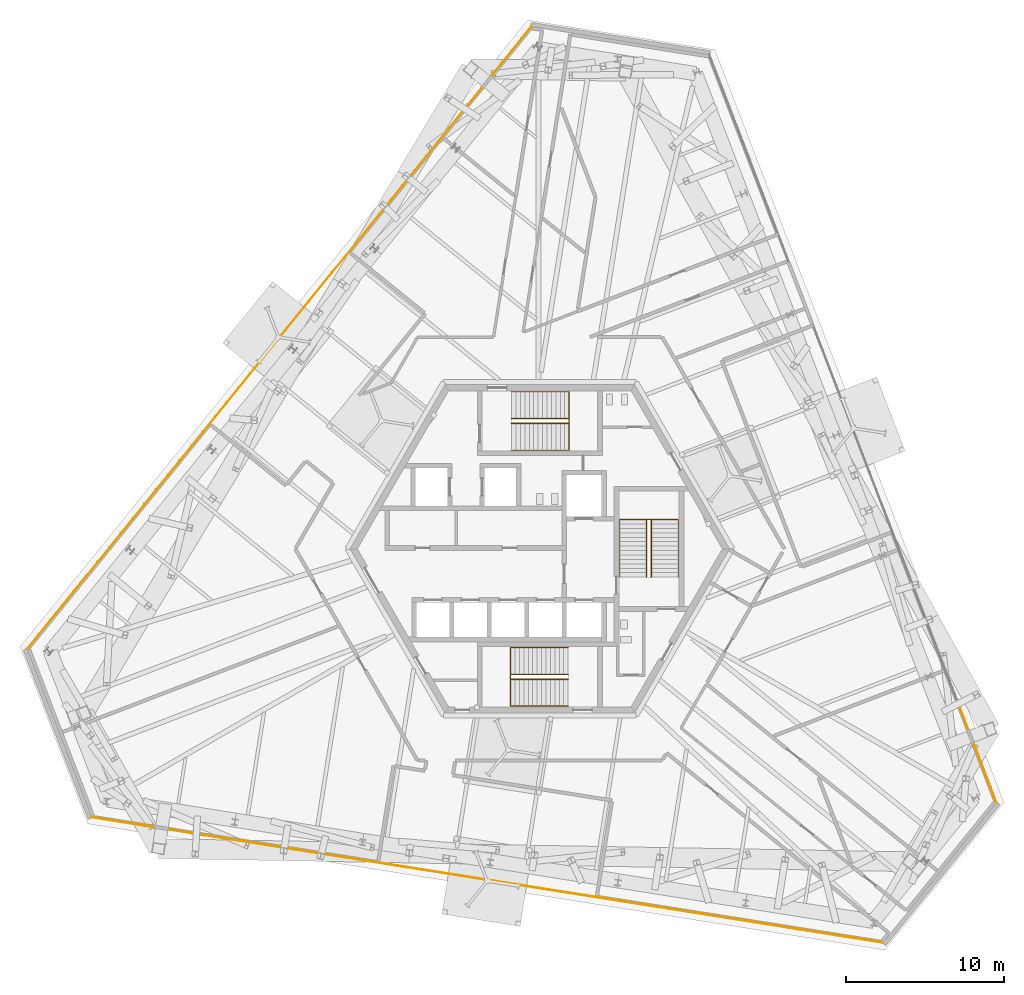
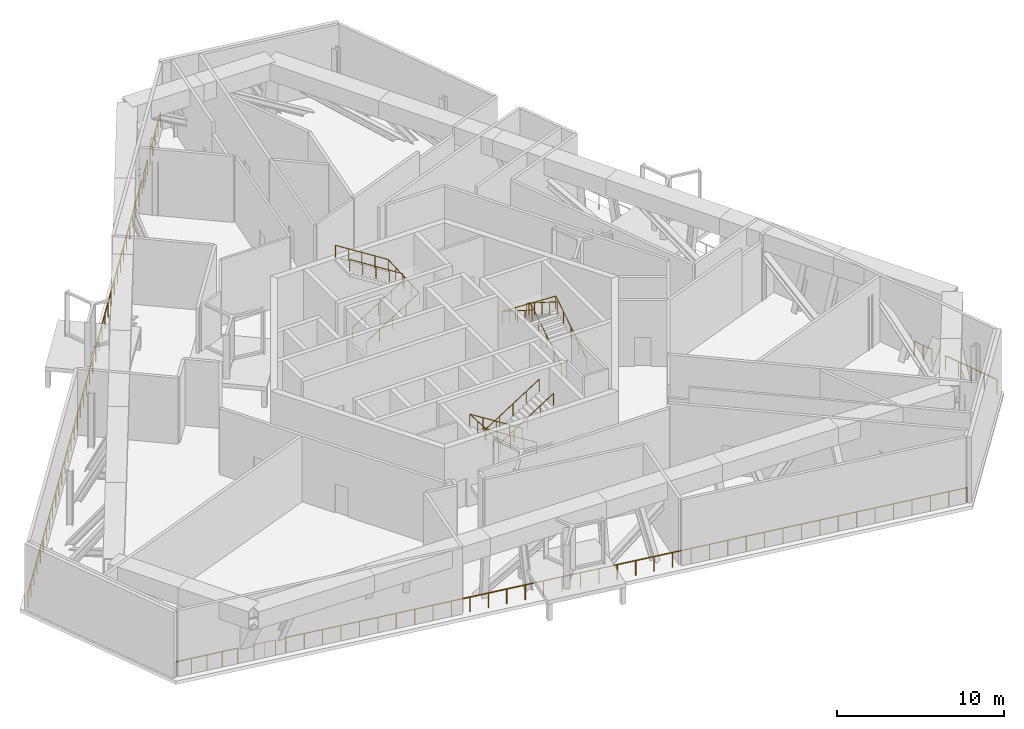
# One storey, part 12 of 14: 14 railings.
"""IFC4 building model written with IfcOpenShell, lengths in metres."""

from ifc_helpers import new_model, si_unit, direction, frame, origin, origin_2d, place, context, subcontext, project, spatial, circle, extrude, material, type_object, element, save


model = new_model("IFC4")

# Units and contexts
model_context = context("Model", 3, precision=1e-05, world=origin(), true_north=direction((0.0, 1.0)))
body_context = subcontext(model_context, "Body", "Model", "MODEL_VIEW")
ifc_project = project(units=[si_unit("LENGTHUNIT", "METRE"), si_unit("AREAUNIT", "SQUARE_METRE"), si_unit("VOLUMEUNIT", "CUBIC_METRE"), si_unit("PLANEANGLEUNIT", "RADIAN"), si_unit("MASSUNIT", "GRAM", prefix="KILO")], contexts=[model_context])

# Site, building, storey
site_placement = place(None, origin())
site = spatial("IfcSite", under=ifc_project, at=site_placement, CompositionType="ELEMENT")
building_placement = place(site_placement, origin())
building = spatial("IfcBuilding", under=site, at=building_placement, Name="Triune Harvest Tower", CompositionType="ELEMENT")
storey_placement = place(building_placement, frame((0.0, 0.0, 174.925048828125)))
storey = spatial("IfcBuildingStorey", under=building, at=storey_placement, Name="L45", CompositionType="ELEMENT", Elevation=174.925048828125)

# Railings
ifc_material_1 = material(Name="Steel ASTM A992 Gr 50", Category="steel")
railing_type_1 = type_object("IfcRailingType", Name="GD-4 slot guard 1100", PredefinedType="GUARDRAIL", material=ifc_material_1)
railing_1_placement = place(storey_placement, frame((28.868896484375, -16.047119140625, 0.0)))
element("IfcRailing", 1, at=railing_1_placement, inside=storey, type_object=railing_type_1, Name="Slot guard B4-F1 1", PredefinedType="GUARDRAIL", context=body_context, shape_type="SweptSolid", body=[
    extrude(circle(Radius=0.02392578125, at=origin_2d()), frame((0.0, 0.0, 1.076171875), z_axis=(-0.35837480596, 0.933577794537, 0.0), x_axis=(-0.933577794537, -0.35837480596, 0.0)), (0.0, 0.0, 1.0), 3.953369140625),
    extrude(circle(Radius=0.02099609375, at=origin_2d()), origin(), (0.0, 0.0, 1.0), 1.052001953125),
    extrude(circle(Radius=0.02099609375, at=origin_2d()), frame((-0.354248046875, 0.922607421875, 0.0)), (0.0, 0.0, 1.0), 1.052001953125),
    extrude(circle(Radius=0.02099609375, at=origin_2d()), frame((-0.70849609375, 1.84521484375, 0.0)), (0.0, 0.0, 1.0), 1.052001953125),
    extrude(circle(Radius=0.02099609375, at=origin_2d()), frame((-1.0625, 2.76806640625, 0.0)), (0.0, 0.0, 1.0), 1.052001953125),
    extrude(circle(Radius=0.02099609375, at=origin_2d()), frame((-1.416748046875, 3.690673828125, 0.0)), (0.0, 0.0, 1.0), 1.052001953125),
])
railing_2_placement = place(storey_placement, frame((27.07958984375, -11.385498046875, 0.0)))
element("IfcRailing", 2, at=railing_2_placement, inside=storey, type_object=railing_type_1, Name="Slot guard B4-F1 2", PredefinedType="GUARDRAIL", context=body_context, shape_type="SweptSolid", body=[
    extrude(circle(Radius=0.02392578125, at=origin_2d()), frame((0.0, 0.0, 1.076171875), z_axis=(-0.358489748877, 0.933533662998, 0.0), x_axis=(-0.933533662998, -0.358489748877, 0.0)), (0.0, 0.0, 1.0), 1.370849609375),
    extrude(circle(Radius=0.02099609375, at=origin_2d()), origin(), (0.0, 0.0, 1.0), 1.052001953125),
    extrude(circle(Radius=0.02099609375, at=origin_2d()), frame((-0.24560546875, 0.639892578125, 0.0)), (0.0, 0.0, 1.0), 1.052001953125),
    extrude(circle(Radius=0.02099609375, at=origin_2d()), frame((-0.491455078125, 1.27978515625, 0.0)), (0.0, 0.0, 1.0), 1.052001953125),
])
railing_3_placement = place(storey_placement, frame((-0.537353515625, 33.024658203125, 0.0)))
element("IfcRailing", 3, at=railing_3_placement, inside=storey, type_object=railing_type_1, Name="Slot guard B4-F3 1", PredefinedType="GUARDRAIL", context=body_context, shape_type="SweptSolid", body=[
    extrude(circle(Radius=0.02392578125, at=origin_2d()), frame((0.0, 0.0, 1.076171875), z_axis=(-0.629308370561, -0.777155695303, 0.0), x_axis=(0.777155695303, -0.629308370561, 0.0)), (0.0, 0.0, 1.0), 3.953125),
    extrude(circle(Radius=0.02099609375, at=origin_2d()), origin(), (0.0, 0.0, 1.0), 1.052001953125),
    extrude(circle(Radius=0.02099609375, at=origin_2d()), frame((-0.6220703125, -0.76806640625, 0.0)), (0.0, 0.0, 1.0), 1.052001953125),
    extrude(circle(Radius=0.02099609375, at=origin_2d()), frame((-1.243896484375, -1.5361328125, 0.0)), (0.0, 0.0, 1.0), 1.052001953125),
    extrude(circle(Radius=0.02099609375, at=origin_2d()), frame((-1.86572265625, -2.30419921875, 0.0)), (0.0, 0.0, 1.0), 1.052001953125),
    extrude(circle(Radius=0.02099609375, at=origin_2d()), frame((-2.48779296875, -3.072265625, 0.0)), (0.0, 0.0, 1.0), 1.052001953125),
])
railing_4_placement = place(storey_placement, frame((-3.6796875, 29.144287109375, 0.0)))
element("IfcRailing", 4, at=railing_4_placement, inside=storey, type_object=railing_type_1, Name="Slot guard B4-F3 2", PredefinedType="GUARDRAIL", context=body_context, shape_type="SweptSolid", body=[
    extrude(circle(Radius=0.02392578125, at=origin_2d()), frame((0.0, 0.0, 1.076171875), z_axis=(-0.629223845309, -0.777224132728, 0.0), x_axis=(0.777224132728, -0.629223845309, 0.0)), (0.0, 0.0, 1.0), 1.370849609375),
    extrude(circle(Radius=0.02099609375, at=origin_2d()), origin(), (0.0, 0.0, 1.0), 1.052001953125),
    extrude(circle(Radius=0.02099609375, at=origin_2d()), frame((-0.43115234375, -0.53271484375, 0.0)), (0.0, 0.0, 1.0), 1.052001953125),
    extrude(circle(Radius=0.02099609375, at=origin_2d()), frame((-0.862548828125, -1.0654296875, 0.0)), (0.0, 0.0, 1.0), 1.052001953125),
])
railing_5_placement = place(storey_placement, frame((-4.960693359375, 27.562255859375, 0.0)))
element("IfcRailing", 5, at=railing_5_placement, inside=storey, type_object=railing_type_1, Name="Slot guard B4-F3 3", PredefinedType="GUARDRAIL", context=body_context, shape_type="SweptSolid", body=[
    extrude(circle(Radius=0.02392578125, at=origin_2d()), frame((0.0, 0.0, 1.076171875), z_axis=(-0.629322183933, -0.777144509605, 0.0), x_axis=(0.777144509605, -0.629322183933, 0.0)), (0.0, 0.0, 1.0), 43.624755859375),
    extrude(circle(Radius=0.02099609375, at=origin_2d()), origin(), (0.0, 0.0, 1.0), 1.052001953125),
    extrude(circle(Radius=0.02099609375, at=origin_2d()), frame((-0.741943359375, -0.916259765625, 0.0)), (0.0, 0.0, 1.0), 1.052001953125),
    extrude(circle(Radius=0.02099609375, at=origin_2d()), frame((-1.48388671875, -1.83251953125, 0.0)), (0.0, 0.0, 1.0), 1.052001953125),
    extrude(circle(Radius=0.02099609375, at=origin_2d()), frame((-2.22607421875, -2.748779296875, 0.0)), (0.0, 0.0, 1.0), 1.052001953125),
    extrude(circle(Radius=0.02099609375, at=origin_2d()), frame((-2.968017578125, -3.665283203125, 0.0)), (0.0, 0.0, 1.0), 1.052001953125),
    extrude(circle(Radius=0.02099609375, at=origin_2d()), frame((-3.7099609375, -4.58154296875, 0.0)), (0.0, 0.0, 1.0), 1.052001953125),
    extrude(circle(Radius=0.02099609375, at=origin_2d()), frame((-4.451904296875, -5.497802734375, 0.0)), (0.0, 0.0, 1.0), 1.052001953125),
    extrude(circle(Radius=0.02099609375, at=origin_2d()), frame((-5.194091796875, -6.4140625, 0.0)), (0.0, 0.0, 1.0), 1.052001953125),
    extrude(circle(Radius=0.02099609375, at=origin_2d()), frame((-5.93603515625, -7.330322265625, 0.0)), (0.0, 0.0, 1.0), 1.052001953125),
    extrude(circle(Radius=0.02099609375, at=origin_2d()), frame((-6.677978515625, -8.24658203125, 0.0)), (0.0, 0.0, 1.0), 1.052001953125),
    extrude(circle(Radius=0.02099609375, at=origin_2d()), frame((-7.419921875, -9.162841796875, 0.0)), (0.0, 0.0, 1.0), 1.052001953125),
    extrude(circle(Radius=0.02099609375, at=origin_2d()), frame((-8.162109375, -10.0791015625, 0.0)), (0.0, 0.0, 1.0), 1.052001953125),
    extrude(circle(Radius=0.02099609375, at=origin_2d()), frame((-8.904052734375, -10.99560546875, 0.0)), (0.0, 0.0, 1.0), 1.052001953125),
    extrude(circle(Radius=0.02099609375, at=origin_2d()), frame((-9.64599609375, -11.911865234375, 0.0)), (0.0, 0.0, 1.0), 1.052001953125),
    extrude(circle(Radius=0.02099609375, at=origin_2d()), frame((-10.387939453125, -12.828125, 0.0)), (0.0, 0.0, 1.0), 1.052001953125),
    extrude(circle(Radius=0.02099609375, at=origin_2d()), frame((-11.130126953125, -13.744384765625, 0.0)), (0.0, 0.0, 1.0), 1.052001953125),
    extrude(circle(Radius=0.02099609375, at=origin_2d()), frame((-11.8720703125, -14.66064453125, 0.0)), (0.0, 0.0, 1.0), 1.052001953125),
    extrude(circle(Radius=0.02099609375, at=origin_2d()), frame((-12.614013671875, -15.576904296875, 0.0)), (0.0, 0.0, 1.0), 1.052001953125),
    extrude(circle(Radius=0.02099609375, at=origin_2d()), frame((-13.35595703125, -16.4931640625, 0.0)), (0.0, 0.0, 1.0), 1.052001953125),
    extrude(circle(Radius=0.02099609375, at=origin_2d()), frame((-14.09814453125, -17.40966796875, 0.0)), (0.0, 0.0, 1.0), 1.052001953125),
    extrude(circle(Radius=0.02099609375, at=origin_2d()), frame((-14.840087890625, -18.325927734375, 0.0)), (0.0, 0.0, 1.0), 1.052001953125),
    extrude(circle(Radius=0.02099609375, at=origin_2d()), frame((-15.58203125, -19.2421875, 0.0)), (0.0, 0.0, 1.0), 1.052001953125),
    extrude(circle(Radius=0.02099609375, at=origin_2d()), frame((-16.323974609375, -20.158447265625, 0.0)), (0.0, 0.0, 1.0), 1.052001953125),
    extrude(circle(Radius=0.02099609375, at=origin_2d()), frame((-17.066162109375, -21.07470703125, 0.0)), (0.0, 0.0, 1.0), 1.052001953125),
    extrude(circle(Radius=0.02099609375, at=origin_2d()), frame((-17.80810546875, -21.990966796875, 0.0)), (0.0, 0.0, 1.0), 1.052001953125),
    extrude(circle(Radius=0.02099609375, at=origin_2d()), frame((-18.550048828125, -22.9072265625, 0.0)), (0.0, 0.0, 1.0), 1.052001953125),
    extrude(circle(Radius=0.02099609375, at=origin_2d()), frame((-19.2919921875, -23.82373046875, 0.0)), (0.0, 0.0, 1.0), 1.052001953125),
    extrude(circle(Radius=0.02099609375, at=origin_2d()), frame((-20.0341796875, -24.739990234375, 0.0)), (0.0, 0.0, 1.0), 1.052001953125),
    extrude(circle(Radius=0.02099609375, at=origin_2d()), frame((-20.776123046875, -25.65625, 0.0)), (0.0, 0.0, 1.0), 1.052001953125),
    extrude(circle(Radius=0.02099609375, at=origin_2d()), frame((-21.51806640625, -26.572509765625, 0.0)), (0.0, 0.0, 1.0), 1.052001953125),
    extrude(circle(Radius=0.02099609375, at=origin_2d()), frame((-22.260009765625, -27.48876953125, 0.0)), (0.0, 0.0, 1.0), 1.052001953125),
    extrude(circle(Radius=0.02099609375, at=origin_2d()), frame((-23.002197265625, -28.405029296875, 0.0)), (0.0, 0.0, 1.0), 1.052001953125),
    extrude(circle(Radius=0.02099609375, at=origin_2d()), frame((-23.744140625, -29.3212890625, 0.0)), (0.0, 0.0, 1.0), 1.052001953125),
    extrude(circle(Radius=0.02099609375, at=origin_2d()), frame((-24.486083984375, -30.237548828125, 0.0)), (0.0, 0.0, 1.0), 1.052001953125),
    extrude(circle(Radius=0.02099609375, at=origin_2d()), frame((-25.22802734375, -31.154052734375, 0.0)), (0.0, 0.0, 1.0), 1.052001953125),
    extrude(circle(Radius=0.02099609375, at=origin_2d()), frame((-25.97021484375, -32.0703125, 0.0)), (0.0, 0.0, 1.0), 1.052001953125),
    extrude(circle(Radius=0.02099609375, at=origin_2d()), frame((-26.712158203125, -32.986572265625, 0.0)), (0.0, 0.0, 1.0), 1.052001953125),
    extrude(circle(Radius=0.02099609375, at=origin_2d()), frame((-27.4541015625, -33.90283203125, 0.0)), (0.0, 0.0, 1.0), 1.052001953125),
])
railing_6_placement = place(storey_placement, frame((-28.33154296875, -16.9775390625, 0.0)))
element("IfcRailing", 6, at=railing_6_placement, inside=storey, type_object=railing_type_1, Name="Slot guard B4-F5 1", PredefinedType="GUARDRAIL", context=body_context, shape_type="SweptSolid", body=[
    extrude(circle(Radius=0.02392578125, at=origin_2d()), frame((0.0, 0.0, 1.076171875), z_axis=(0.987687233333, -0.156441455855, 0.0), x_axis=(0.156441455855, 0.987687233333, 0.0)), (0.0, 0.0, 1.0), 3.952880859375),
    extrude(circle(Radius=0.02099609375, at=origin_2d()), origin(), (0.0, 0.0, 1.0), 1.052001953125),
    extrude(circle(Radius=0.02099609375, at=origin_2d()), frame((0.97607421875, -0.154541015625, 0.0)), (0.0, 0.0, 1.0), 1.052001953125),
    extrude(circle(Radius=0.02099609375, at=origin_2d()), frame((1.9521484375, -0.30908203125, 0.0)), (0.0, 0.0, 1.0), 1.052001953125),
    extrude(circle(Radius=0.02099609375, at=origin_2d()), frame((2.92822265625, -0.4638671875, 0.0)), (0.0, 0.0, 1.0), 1.052001953125),
    extrude(circle(Radius=0.02099609375, at=origin_2d()), frame((3.904296875, -0.618408203125, 0.0)), (0.0, 0.0, 1.0), 1.052001953125),
])
railing_7_placement = place(storey_placement, frame((-23.39990234375, -17.7587890625, 0.0)))
element("IfcRailing", 7, at=railing_7_placement, inside=storey, type_object=railing_type_1, Name="Slot guard B4-F5 2", PredefinedType="GUARDRAIL", context=body_context, shape_type="SweptSolid", body=[
    extrude(circle(Radius=0.02392578125, at=origin_2d()), frame((0.0, 0.0, 1.076171875), z_axis=(0.98769934777, -0.15636495264, 0.0), x_axis=(0.15636495264, 0.98769934777, 0.0)), (0.0, 0.0, 1.0), 1.370849609375),
    extrude(circle(Radius=0.02099609375, at=origin_2d()), origin(), (0.0, 0.0, 1.0), 1.052001953125),
    extrude(circle(Radius=0.02099609375, at=origin_2d()), frame((0.677001953125, -0.107177734375, 0.0)), (0.0, 0.0, 1.0), 1.052001953125),
    extrude(circle(Radius=0.02099609375, at=origin_2d()), frame((1.35400390625, -0.21435546875, 0.0)), (0.0, 0.0, 1.0), 1.052001953125),
])
railing_8_placement = place(storey_placement, frame((-21.389404296875, -18.0771484375, 0.0)))
element("IfcRailing", 8, at=railing_8_placement, inside=storey, type_object=railing_type_1, Name="Slot guard B4-F5 3", PredefinedType="GUARDRAIL", context=body_context, shape_type="SweptSolid", body=[
    extrude(circle(Radius=0.02392578125, at=origin_2d()), frame((0.0, 0.0, 1.076171875), z_axis=(0.987688300045, -0.156434721064, 0.0), x_axis=(0.156434721064, 0.987688300045, 0.0)), (0.0, 0.0, 1.0), 43.625),
    extrude(circle(Radius=0.02099609375, at=origin_2d()), origin(), (0.0, 0.0, 1.0), 1.052001953125),
    extrude(circle(Radius=0.02099609375, at=origin_2d()), frame((1.16455078125, -0.184326171875, 0.0)), (0.0, 0.0, 1.0), 1.052001953125),
    extrude(circle(Radius=0.02099609375, at=origin_2d()), frame((2.3291015625, -0.368896484375, 0.0)), (0.0, 0.0, 1.0), 1.052001953125),
    extrude(circle(Radius=0.02099609375, at=origin_2d()), frame((3.49365234375, -0.55322265625, 0.0)), (0.0, 0.0, 1.0), 1.052001953125),
    extrude(circle(Radius=0.02099609375, at=origin_2d()), frame((4.658203125, -0.73779296875, 0.0)), (0.0, 0.0, 1.0), 1.052001953125),
    extrude(circle(Radius=0.02099609375, at=origin_2d()), frame((5.82275390625, -0.922119140625, 0.0)), (0.0, 0.0, 1.0), 1.052001953125),
    extrude(circle(Radius=0.02099609375, at=origin_2d()), frame((6.9873046875, -1.106689453125, 0.0)), (0.0, 0.0, 1.0), 1.052001953125),
    extrude(circle(Radius=0.02099609375, at=origin_2d()), frame((8.15185546875, -1.291015625, 0.0)), (0.0, 0.0, 1.0), 1.052001953125),
    extrude(circle(Radius=0.02099609375, at=origin_2d()), frame((9.31640625, -1.4755859375, 0.0)), (0.0, 0.0, 1.0), 1.052001953125),
    extrude(circle(Radius=0.02099609375, at=origin_2d()), frame((10.48095703125, -1.659912109375, 0.0)), (0.0, 0.0, 1.0), 1.052001953125),
    extrude(circle(Radius=0.02099609375, at=origin_2d()), frame((11.645263671875, -1.844482421875, 0.0)), (0.0, 0.0, 1.0), 1.052001953125),
    extrude(circle(Radius=0.02099609375, at=origin_2d()), frame((12.809814453125, -2.02880859375, 0.0)), (0.0, 0.0, 1.0), 1.052001953125),
    extrude(circle(Radius=0.02099609375, at=origin_2d()), frame((13.974365234375, -2.21337890625, 0.0)), (0.0, 0.0, 1.0), 1.052001953125),
    extrude(circle(Radius=0.02099609375, at=origin_2d()), frame((15.138916015625, -2.397705078125, 0.0)), (0.0, 0.0, 1.0), 1.052001953125),
    extrude(circle(Radius=0.02099609375, at=origin_2d()), frame((16.303466796875, -2.582275390625, 0.0)), (0.0, 0.0, 1.0), 1.052001953125),
    extrude(circle(Radius=0.02099609375, at=origin_2d()), frame((17.468017578125, -2.7666015625, 0.0)), (0.0, 0.0, 1.0), 1.052001953125),
    extrude(circle(Radius=0.02099609375, at=origin_2d()), frame((18.632568359375, -2.951171875, 0.0)), (0.0, 0.0, 1.0), 1.052001953125),
    extrude(circle(Radius=0.02099609375, at=origin_2d()), frame((19.797119140625, -3.135498046875, 0.0)), (0.0, 0.0, 1.0), 1.052001953125),
    extrude(circle(Radius=0.02099609375, at=origin_2d()), frame((20.961669921875, -3.320068359375, 0.0)), (0.0, 0.0, 1.0), 1.052001953125),
    extrude(circle(Radius=0.02099609375, at=origin_2d()), frame((22.126220703125, -3.50439453125, 0.0)), (0.0, 0.0, 1.0), 1.052001953125),
    extrude(circle(Radius=0.02099609375, at=origin_2d()), frame((23.290771484375, -3.68896484375, 0.0)), (0.0, 0.0, 1.0), 1.052001953125),
    extrude(circle(Radius=0.02099609375, at=origin_2d()), frame((24.455322265625, -3.873291015625, 0.0)), (0.0, 0.0, 1.0), 1.052001953125),
    extrude(circle(Radius=0.02099609375, at=origin_2d()), frame((25.619873046875, -4.057861328125, 0.0)), (0.0, 0.0, 1.0), 1.052001953125),
    extrude(circle(Radius=0.02099609375, at=origin_2d()), frame((26.784423828125, -4.2421875, 0.0)), (0.0, 0.0, 1.0), 1.052001953125),
    extrude(circle(Radius=0.02099609375, at=origin_2d()), frame((27.948974609375, -4.4267578125, 0.0)), (0.0, 0.0, 1.0), 1.052001953125),
    extrude(circle(Radius=0.02099609375, at=origin_2d()), frame((29.113525390625, -4.611083984375, 0.0)), (0.0, 0.0, 1.0), 1.052001953125),
    extrude(circle(Radius=0.02099609375, at=origin_2d()), frame((30.278076171875, -4.795654296875, 0.0)), (0.0, 0.0, 1.0), 1.052001953125),
    extrude(circle(Radius=0.02099609375, at=origin_2d()), frame((31.442626953125, -4.97998046875, 0.0)), (0.0, 0.0, 1.0), 1.052001953125),
    extrude(circle(Radius=0.02099609375, at=origin_2d()), frame((32.60693359375, -5.16455078125, 0.0)), (0.0, 0.0, 1.0), 1.052001953125),
    extrude(circle(Radius=0.02099609375, at=origin_2d()), frame((33.771484375, -5.348876953125, 0.0)), (0.0, 0.0, 1.0), 1.052001953125),
    extrude(circle(Radius=0.02099609375, at=origin_2d()), frame((34.93603515625, -5.533447265625, 0.0)), (0.0, 0.0, 1.0), 1.052001953125),
    extrude(circle(Radius=0.02099609375, at=origin_2d()), frame((36.1005859375, -5.7177734375, 0.0)), (0.0, 0.0, 1.0), 1.052001953125),
    extrude(circle(Radius=0.02099609375, at=origin_2d()), frame((37.26513671875, -5.90234375, 0.0)), (0.0, 0.0, 1.0), 1.052001953125),
    extrude(circle(Radius=0.02099609375, at=origin_2d()), frame((38.4296875, -6.086669921875, 0.0)), (0.0, 0.0, 1.0), 1.052001953125),
    extrude(circle(Radius=0.02099609375, at=origin_2d()), frame((39.59423828125, -6.271240234375, 0.0)), (0.0, 0.0, 1.0), 1.052001953125),
    extrude(circle(Radius=0.02099609375, at=origin_2d()), frame((40.7587890625, -6.45556640625, 0.0)), (0.0, 0.0, 1.0), 1.052001953125),
    extrude(circle(Radius=0.02099609375, at=origin_2d()), frame((41.92333984375, -6.64013671875, 0.0)), (0.0, 0.0, 1.0), 1.052001953125),
    extrude(circle(Radius=0.02099609375, at=origin_2d()), frame((43.087890625, -6.824462890625, 0.0)), (0.0, 0.0, 1.0), 1.052001953125),
])
ifc_material_2 = material(Name="Stainless steel AISI 316", Category="steel")
railing_type_2 = type_object("IfcRailingType", Name="Stair handrail", PredefinedType="HANDRAIL", material=ifc_material_2)
railing_9_placement = place(storey_placement, frame((-1.7900390625, 6.239990234375, 0.177734375)))
element("IfcRailing", 9, at=railing_9_placement, inside=storey, type_object=railing_type_2, Name="Exit stair north wall handrail", PredefinedType="HANDRAIL", context=body_context, shape_type="SweptSolid", body=[
    extrude(circle(Radius=0.02392578125, at=origin_2d()), frame((0.0, 0.0, 0.8759765625), z_axis=(0.844357995418, 0.0, 0.535779409434), x_axis=(0.0, 1.0, 0.0)), (0.0, 0.0, 1.0), 4.31103515625),
    extrude(circle(Radius=0.02392578125, at=origin_2d()), frame((3.64013671875, 0.0, 3.185546875), z_axis=(0.0, 0.998851375222, 0.047915866037), x_axis=(-1.0, 0.0, 0.0)), (0.0, 0.0, 1.0), 3.7041015625),
    extrude(circle(Radius=0.02392578125, at=origin_2d()), frame((3.64013671875, 3.699951171875, 3.36328125), z_axis=(-0.844357995418, 0.0, 0.535779409434), x_axis=(0.0, -1.0, 0.0)), (0.0, 0.0, 1.0), 4.31103515625),
    extrude(circle(Radius=0.02099609375, at=origin_2d()), origin(), (0.0, 0.0, 1.0), 0.851806640625),
    extrude(circle(Radius=0.02099609375, at=origin_2d()), frame((0.91015625, 0.0, 0.577392578125)), (0.0, 0.0, 1.0), 0.851806640625),
    extrude(circle(Radius=0.02099609375, at=origin_2d()), frame((1.820068359375, 0.0, 1.15478515625)), (0.0, 0.0, 1.0), 0.851806640625),
    extrude(circle(Radius=0.02099609375, at=origin_2d()), frame((2.72998046875, 0.0, 1.732421875)), (0.0, 0.0, 1.0), 0.851806640625),
    extrude(circle(Radius=0.02099609375, at=origin_2d()), frame((3.64013671875, 0.0, 2.309814453125)), (0.0, 0.0, 1.0), 0.851806640625),
    extrude(circle(Radius=0.02099609375, at=origin_2d()), frame((3.64013671875, 0.925048828125, 2.354248046875)), (0.0, 0.0, 1.0), 0.851806640625),
    extrude(circle(Radius=0.02099609375, at=origin_2d()), frame((3.64013671875, 1.85009765625, 2.3984375)), (0.0, 0.0, 1.0), 0.851806640625),
    extrude(circle(Radius=0.02099609375, at=origin_2d()), frame((3.64013671875, 2.77490234375, 2.44287109375)), (0.0, 0.0, 1.0), 0.851806640625),
    extrude(circle(Radius=0.02099609375, at=origin_2d()), frame((3.64013671875, 3.699951171875, 2.4873046875)), (0.0, 0.0, 1.0), 0.851806640625),
    extrude(circle(Radius=0.02099609375, at=origin_2d()), frame((2.72998046875, 3.699951171875, 3.064697265625)), (0.0, 0.0, 1.0), 0.851806640625),
    extrude(circle(Radius=0.02099609375, at=origin_2d()), frame((1.820068359375, 3.699951171875, 3.64208984375)), (0.0, 0.0, 1.0), 0.851806640625),
    extrude(circle(Radius=0.02099609375, at=origin_2d()), frame((0.91015625, 3.699951171875, 4.2197265625)), (0.0, 0.0, 1.0), 0.851806640625),
    extrude(circle(Radius=0.02099609375, at=origin_2d()), frame((0.0, 3.699951171875, 4.797119140625)), (0.0, 0.0, 1.0), 0.851806640625),
])
railing_10_placement = place(storey_placement, frame((-1.7900390625, 7.93994140625, 0.177734375)))
element("IfcRailing", 10, at=railing_10_placement, inside=storey, type_object=railing_type_2, Name="Exit stair north centre handrail", PredefinedType="HANDRAIL", context=body_context, shape_type="SweptSolid", body=[
    extrude(circle(Radius=0.02392578125, at=origin_2d()), frame((0.0, 0.0, 0.8759765625), z_axis=(0.844357995418, 0.0, 0.535779409434), x_axis=(0.0, 1.0, 0.0)), (0.0, 0.0, 1.0), 4.31103515625),
    extrude(circle(Radius=0.02392578125, at=origin_2d()), frame((3.64013671875, 0.0, 3.185546875), z_axis=(0.0, 0.860689420957, 0.50913035723), x_axis=(-1.0, 0.0, 0.0)), (0.0, 0.0, 1.0), 0.3486328125),
    extrude(circle(Radius=0.02392578125, at=origin_2d()), frame((3.64013671875, 0.300048828125, 3.36328125), z_axis=(-0.844357995418, 0.0, 0.535779409434), x_axis=(0.0, -1.0, 0.0)), (0.0, 0.0, 1.0), 4.31103515625),
    extrude(circle(Radius=0.02099609375, at=origin_2d()), origin(), (0.0, 0.0, 1.0), 0.851806640625),
    extrude(circle(Radius=0.02099609375, at=origin_2d()), frame((0.91015625, 0.0, 0.577392578125)), (0.0, 0.0, 1.0), 0.851806640625),
    extrude(circle(Radius=0.02099609375, at=origin_2d()), frame((1.820068359375, 0.0, 1.15478515625)), (0.0, 0.0, 1.0), 0.851806640625),
    extrude(circle(Radius=0.02099609375, at=origin_2d()), frame((2.72998046875, 0.0, 1.732421875)), (0.0, 0.0, 1.0), 0.851806640625),
    extrude(circle(Radius=0.02099609375, at=origin_2d()), frame((3.64013671875, 0.0, 2.309814453125)), (0.0, 0.0, 1.0), 0.851806640625),
    extrude(circle(Radius=0.02099609375, at=origin_2d()), frame((3.64013671875, 0.300048828125, 2.4873046875)), (0.0, 0.0, 1.0), 0.851806640625),
    extrude(circle(Radius=0.02099609375, at=origin_2d()), frame((2.72998046875, 0.300048828125, 3.064697265625)), (0.0, 0.0, 1.0), 0.851806640625),
    extrude(circle(Radius=0.02099609375, at=origin_2d()), frame((1.820068359375, 0.300048828125, 3.64208984375)), (0.0, 0.0, 1.0), 0.851806640625),
    extrude(circle(Radius=0.02099609375, at=origin_2d()), frame((0.91015625, 0.300048828125, 4.2197265625)), (0.0, 0.0, 1.0), 0.851806640625),
    extrude(circle(Radius=0.02099609375, at=origin_2d()), frame((0.0, 0.300048828125, 4.797119140625)), (0.0, 0.0, 1.0), 0.851806640625),
])
railing_11_placement = place(storey_placement, frame((1.7900390625, -6.239990234375, 0.177734375)))
element("IfcRailing", 11, at=railing_11_placement, inside=storey, type_object=railing_type_2, Name="Exit stair south wall handrail", PredefinedType="HANDRAIL", context=body_context, shape_type="SweptSolid", body=[
    extrude(circle(Radius=0.02392578125, at=origin_2d()), frame((0.0, 0.0, 0.8759765625), z_axis=(-0.844357995418, 0.0, 0.535779409434), x_axis=(0.0, -1.0, 0.0)), (0.0, 0.0, 1.0), 4.31103515625),
    extrude(circle(Radius=0.02392578125, at=origin_2d()), frame((-3.64013671875, 0.0, 3.185546875), z_axis=(0.0, -0.998851375222, 0.047915866037), x_axis=(1.0, 0.0, 0.0)), (0.0, 0.0, 1.0), 3.7041015625),
    extrude(circle(Radius=0.02392578125, at=origin_2d()), frame((-3.64013671875, -3.699951171875, 3.36328125), z_axis=(0.844357995418, 0.0, 0.535779409434), x_axis=(0.0, 1.0, 0.0)), (0.0, 0.0, 1.0), 4.31103515625),
    extrude(circle(Radius=0.02099609375, at=origin_2d()), origin(), (0.0, 0.0, 1.0), 0.851806640625),
    extrude(circle(Radius=0.02099609375, at=origin_2d()), frame((-0.91015625, 0.0, 0.577392578125)), (0.0, 0.0, 1.0), 0.851806640625),
    extrude(circle(Radius=0.02099609375, at=origin_2d()), frame((-1.820068359375, 0.0, 1.15478515625)), (0.0, 0.0, 1.0), 0.851806640625),
    extrude(circle(Radius=0.02099609375, at=origin_2d()), frame((-2.72998046875, 0.0, 1.732421875)), (0.0, 0.0, 1.0), 0.851806640625),
    extrude(circle(Radius=0.02099609375, at=origin_2d()), frame((-3.64013671875, 0.0, 2.309814453125)), (0.0, 0.0, 1.0), 0.851806640625),
    extrude(circle(Radius=0.02099609375, at=origin_2d()), frame((-3.64013671875, -0.925048828125, 2.354248046875)), (0.0, 0.0, 1.0), 0.851806640625),
    extrude(circle(Radius=0.02099609375, at=origin_2d()), frame((-3.64013671875, -1.85009765625, 2.3984375)), (0.0, 0.0, 1.0), 0.851806640625),
    extrude(circle(Radius=0.02099609375, at=origin_2d()), frame((-3.64013671875, -2.77490234375, 2.44287109375)), (0.0, 0.0, 1.0), 0.851806640625),
    extrude(circle(Radius=0.02099609375, at=origin_2d()), frame((-3.64013671875, -3.699951171875, 2.4873046875)), (0.0, 0.0, 1.0), 0.851806640625),
    extrude(circle(Radius=0.02099609375, at=origin_2d()), frame((-2.72998046875, -3.699951171875, 3.064697265625)), (0.0, 0.0, 1.0), 0.851806640625),
    extrude(circle(Radius=0.02099609375, at=origin_2d()), frame((-1.820068359375, -3.699951171875, 3.64208984375)), (0.0, 0.0, 1.0), 0.851806640625),
    extrude(circle(Radius=0.02099609375, at=origin_2d()), frame((-0.91015625, -3.699951171875, 4.2197265625)), (0.0, 0.0, 1.0), 0.851806640625),
    extrude(circle(Radius=0.02099609375, at=origin_2d()), frame((0.0, -3.699951171875, 4.797119140625)), (0.0, 0.0, 1.0), 0.851806640625),
])
railing_12_placement = place(storey_placement, frame((1.7900390625, -7.93994140625, 0.177734375)))
element("IfcRailing", 12, at=railing_12_placement, inside=storey, type_object=railing_type_2, Name="Exit stair south centre handrail", PredefinedType="HANDRAIL", context=body_context, shape_type="SweptSolid", body=[
    extrude(circle(Radius=0.02392578125, at=origin_2d()), frame((0.0, 0.0, 0.8759765625), z_axis=(-0.844357995418, 0.0, 0.535779409434), x_axis=(0.0, -1.0, 0.0)), (0.0, 0.0, 1.0), 4.31103515625),
    extrude(circle(Radius=0.02392578125, at=origin_2d()), frame((-3.64013671875, 0.0, 3.185546875), z_axis=(0.0, -0.860689420957, 0.50913035723), x_axis=(1.0, 0.0, 0.0)), (0.0, 0.0, 1.0), 0.3486328125),
    extrude(circle(Radius=0.02392578125, at=origin_2d()), frame((-3.64013671875, -0.300048828125, 3.36328125), z_axis=(0.844357995418, 0.0, 0.535779409434), x_axis=(0.0, 1.0, 0.0)), (0.0, 0.0, 1.0), 4.31103515625),
    extrude(circle(Radius=0.02099609375, at=origin_2d()), origin(), (0.0, 0.0, 1.0), 0.851806640625),
    extrude(circle(Radius=0.02099609375, at=origin_2d()), frame((-0.91015625, 0.0, 0.577392578125)), (0.0, 0.0, 1.0), 0.851806640625),
    extrude(circle(Radius=0.02099609375, at=origin_2d()), frame((-1.820068359375, 0.0, 1.15478515625)), (0.0, 0.0, 1.0), 0.851806640625),
    extrude(circle(Radius=0.02099609375, at=origin_2d()), frame((-2.72998046875, 0.0, 1.732421875)), (0.0, 0.0, 1.0), 0.851806640625),
    extrude(circle(Radius=0.02099609375, at=origin_2d()), frame((-3.64013671875, 0.0, 2.309814453125)), (0.0, 0.0, 1.0), 0.851806640625),
    extrude(circle(Radius=0.02099609375, at=origin_2d()), frame((-3.64013671875, -0.300048828125, 2.4873046875)), (0.0, 0.0, 1.0), 0.851806640625),
    extrude(circle(Radius=0.02099609375, at=origin_2d()), frame((-2.72998046875, -0.300048828125, 3.064697265625)), (0.0, 0.0, 1.0), 0.851806640625),
    extrude(circle(Radius=0.02099609375, at=origin_2d()), frame((-1.820068359375, -0.300048828125, 3.64208984375)), (0.0, 0.0, 1.0), 0.851806640625),
    extrude(circle(Radius=0.02099609375, at=origin_2d()), frame((-0.91015625, -0.300048828125, 4.2197265625)), (0.0, 0.0, 1.0), 0.851806640625),
    extrude(circle(Radius=0.02099609375, at=origin_2d()), frame((0.0, -0.300048828125, 4.797119140625)), (0.0, 0.0, 1.0), 0.851806640625),
])
railing_13_placement = place(storey_placement, frame((8.75, -1.7900390625, 0.177734375)))
element("IfcRailing", 13, at=railing_13_placement, inside=storey, type_object=railing_type_2, Name="Exit stair east wall handrail", PredefinedType="HANDRAIL", context=body_context, shape_type="SweptSolid", body=[
    extrude(circle(Radius=0.02392578125, at=origin_2d()), frame((0.0, 0.0, 0.8759765625), z_axis=(0.0, 0.844357995418, 0.535779409434), x_axis=(-1.0, 0.0, 0.0)), (0.0, 0.0, 1.0), 4.31103515625),
    extrude(circle(Radius=0.02392578125, at=origin_2d()), frame((0.0, 3.64013671875, 3.185546875), z_axis=(-0.998851375222, 0.0, 0.047915866037), x_axis=(0.0, -1.0, 0.0)), (0.0, 0.0, 1.0), 3.7041015625),
    extrude(circle(Radius=0.02392578125, at=origin_2d()), frame((-3.699951171875, 3.64013671875, 3.36328125), z_axis=(0.0, -0.844357995418, 0.535779409434), x_axis=(1.0, 0.0, 0.0)), (0.0, 0.0, 1.0), 4.31103515625),
    extrude(circle(Radius=0.02099609375, at=origin_2d()), origin(), (0.0, 0.0, 1.0), 0.851806640625),
    extrude(circle(Radius=0.02099609375, at=origin_2d()), frame((0.0, 0.91015625, 0.577392578125)), (0.0, 0.0, 1.0), 0.851806640625),
    extrude(circle(Radius=0.02099609375, at=origin_2d()), frame((0.0, 1.820068359375, 1.15478515625)), (0.0, 0.0, 1.0), 0.851806640625),
    extrude(circle(Radius=0.02099609375, at=origin_2d()), frame((0.0, 2.72998046875, 1.732421875)), (0.0, 0.0, 1.0), 0.851806640625),
    extrude(circle(Radius=0.02099609375, at=origin_2d()), frame((0.0, 3.64013671875, 2.309814453125)), (0.0, 0.0, 1.0), 0.851806640625),
    extrude(circle(Radius=0.02099609375, at=origin_2d()), frame((-0.925048828125, 3.64013671875, 2.354248046875)), (0.0, 0.0, 1.0), 0.851806640625),
    extrude(circle(Radius=0.02099609375, at=origin_2d()), frame((-1.85009765625, 3.64013671875, 2.3984375)), (0.0, 0.0, 1.0), 0.851806640625),
    extrude(circle(Radius=0.02099609375, at=origin_2d()), frame((-2.77490234375, 3.64013671875, 2.44287109375)), (0.0, 0.0, 1.0), 0.851806640625),
    extrude(circle(Radius=0.02099609375, at=origin_2d()), frame((-3.699951171875, 3.64013671875, 2.4873046875)), (0.0, 0.0, 1.0), 0.851806640625),
    extrude(circle(Radius=0.02099609375, at=origin_2d()), frame((-3.699951171875, 2.72998046875, 3.064697265625)), (0.0, 0.0, 1.0), 0.851806640625),
    extrude(circle(Radius=0.02099609375, at=origin_2d()), frame((-3.699951171875, 1.820068359375, 3.64208984375)), (0.0, 0.0, 1.0), 0.851806640625),
    extrude(circle(Radius=0.02099609375, at=origin_2d()), frame((-3.699951171875, 0.91015625, 4.2197265625)), (0.0, 0.0, 1.0), 0.851806640625),
    extrude(circle(Radius=0.02099609375, at=origin_2d()), frame((-3.699951171875, 0.0, 4.797119140625)), (0.0, 0.0, 1.0), 0.851806640625),
])
railing_14_placement = place(storey_placement, frame((7.050048828125, -1.7900390625, 0.177734375)))
element("IfcRailing", 14, at=railing_14_placement, inside=storey, type_object=railing_type_2, Name="Exit stair east centre handrail", PredefinedType="HANDRAIL", context=body_context, shape_type="SweptSolid", body=[
    extrude(circle(Radius=0.02392578125, at=origin_2d()), frame((0.0, 0.0, 0.8759765625), z_axis=(0.0, 0.844357995418, 0.535779409434), x_axis=(-1.0, 0.0, 0.0)), (0.0, 0.0, 1.0), 4.31103515625),
    extrude(circle(Radius=0.02392578125, at=origin_2d()), frame((0.0, 3.64013671875, 3.185546875), z_axis=(-0.860689420957, 0.0, 0.50913035723), x_axis=(0.0, -1.0, 0.0)), (0.0, 0.0, 1.0), 0.3486328125),
    extrude(circle(Radius=0.02392578125, at=origin_2d()), frame((-0.300048828125, 3.64013671875, 3.36328125), z_axis=(0.0, -0.844357995418, 0.535779409434), x_axis=(1.0, 0.0, 0.0)), (0.0, 0.0, 1.0), 4.31103515625),
    extrude(circle(Radius=0.02099609375, at=origin_2d()), origin(), (0.0, 0.0, 1.0), 0.851806640625),
    extrude(circle(Radius=0.02099609375, at=origin_2d()), frame((0.0, 0.91015625, 0.577392578125)), (0.0, 0.0, 1.0), 0.851806640625),
    extrude(circle(Radius=0.02099609375, at=origin_2d()), frame((0.0, 1.820068359375, 1.15478515625)), (0.0, 0.0, 1.0), 0.851806640625),
    extrude(circle(Radius=0.02099609375, at=origin_2d()), frame((0.0, 2.72998046875, 1.732421875)), (0.0, 0.0, 1.0), 0.851806640625),
    extrude(circle(Radius=0.02099609375, at=origin_2d()), frame((0.0, 3.64013671875, 2.309814453125)), (0.0, 0.0, 1.0), 0.851806640625),
    extrude(circle(Radius=0.02099609375, at=origin_2d()), frame((-0.300048828125, 3.64013671875, 2.4873046875)), (0.0, 0.0, 1.0), 0.851806640625),
    extrude(circle(Radius=0.02099609375, at=origin_2d()), frame((-0.300048828125, 2.72998046875, 3.064697265625)), (0.0, 0.0, 1.0), 0.851806640625),
    extrude(circle(Radius=0.02099609375, at=origin_2d()), frame((-0.300048828125, 1.820068359375, 3.64208984375)), (0.0, 0.0, 1.0), 0.851806640625),
    extrude(circle(Radius=0.02099609375, at=origin_2d()), frame((-0.300048828125, 0.91015625, 4.2197265625)), (0.0, 0.0, 1.0), 0.851806640625),
    extrude(circle(Radius=0.02099609375, at=origin_2d()), frame((-0.300048828125, 0.0, 4.797119140625)), (0.0, 0.0, 1.0), 0.851806640625),
])

save(model, "model.ifc")
